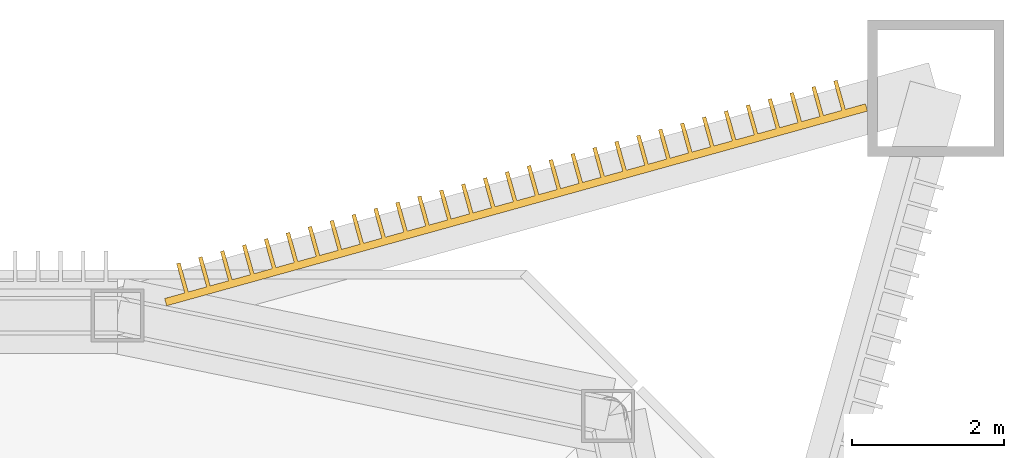
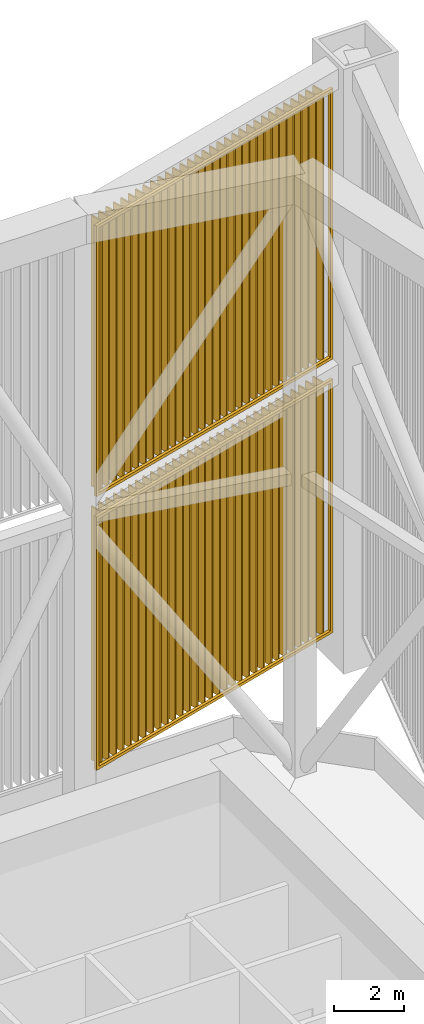
# One storey, part 13 of 13: 2 shading devices.
"""IFC4 building model written with IfcOpenShell, lengths in metres."""

from ifc_helpers import new_model, si_unit, direction, frame, origin, origin_2d, place, context, subcontext, project, spatial, rectangle, extrude, material, layer, layer_set, type_object, element, save


model = new_model("IFC4")

# Units and contexts
model_context = context("Model", 3, precision=1e-05, world=origin(), true_north=direction((0.0, 1.0)))
body_context = subcontext(model_context, "Body", "Model", "MODEL_VIEW")
ifc_project = project(units=[si_unit("LENGTHUNIT", "METRE"), si_unit("AREAUNIT", "SQUARE_METRE"), si_unit("VOLUMEUNIT", "CUBIC_METRE"), si_unit("PLANEANGLEUNIT", "RADIAN"), si_unit("MASSUNIT", "GRAM", prefix="KILO")], contexts=[model_context])

# Site, building, storey
site_placement = place(None, origin())
site = spatial("IfcSite", under=ifc_project, at=site_placement, CompositionType="ELEMENT")
building_placement = place(site_placement, origin())
building = spatial("IfcBuilding", under=site, at=building_placement, Name="Iwan Alto Co-Living Towers", CompositionType="ELEMENT")
storey_placement = place(building_placement, frame((0.0, 0.0, 267.5)))
storey = spatial("IfcBuildingStorey", under=building, at=storey_placement, Name="RF", CompositionType="ELEMENT", Elevation=267.5)

# Shading devices
ifc_material_1 = material(Name="Aluminium 6063-T6 bronze anodised", Category="aluminium")
ifc_layer_1 = layer(ifc_material_1, 0.39990234375, Name="Fins", Category="Finish")
ifc_material_2 = material(Name="Steel ASTM A36 galvanised frame", Category="steel")
ifc_layer_2 = layer(ifc_material_2, 0.10009765625, Name="Panel frame", Category="Framing")
ifc_layer_set = layer_set([ifc_layer_1, ifc_layer_2], Name="CROWN FIN SCREEN CORNER PANEL")
shading_device_type = type_object("IfcShadingDeviceType", Name="CROWN FIN SCREEN CORNER PANEL", PredefinedType="USERDEFINED", material=ifc_layer_set)
shading_device_1_placement = place(storey_placement, frame((0.0, 0.0, -267.5)))
element("IfcShadingDevice", 1, at=shading_device_1_placement, inside=storey, type_object=shading_device_type, Name="T1 crown fin screen NE-N lower", ObjectType="LOUVER", PredefinedType="USERDEFINED", context=body_context, shape_type="SweptSolid", body=[
    extrude(rectangle(XDim=9.59912109375, YDim=0.10009765625, at=origin_2d()), frame((13.3603515625, 17.361083984375, 268.599853515625), z_axis=(0.0, 0.0, 1.0), x_axis=(0.963517909615, 0.267643863841, 0.0)), (0.0, 0.0, 1.0), 0.10009765625),
    extrude(rectangle(XDim=9.59912109375, YDim=0.10009765625, at=origin_2d()), frame((13.3603515625, 17.361083984375, 277.300048828125), z_axis=(0.0, 0.0, 1.0), x_axis=(0.963517909615, 0.267643863841, 0.0)), (0.0, 0.0, 1.0), 0.10009765625),
    extrude(rectangle(XDim=0.10009765625, YDim=0.10009765625, at=origin_2d()), frame((8.7841796875, 16.090087890625, 268.69482421875), z_axis=(0.0, 0.0, 1.0), x_axis=(0.963517909615, 0.267643863841, 0.0)), (0.0, 0.0, 1.0), 8.610107421875),
    extrude(rectangle(XDim=0.10009765625, YDim=0.10009765625, at=origin_2d()), frame((17.9365234375, 18.63232421875, 268.69482421875), z_axis=(0.0, 0.0, 1.0), x_axis=(0.963517909615, 0.267643863841, 0.0)), (0.0, 0.0, 1.0), 8.610107421875),
    extrude(rectangle(XDim=0.050048828125, YDim=0.405029296875, at=origin_2d()), frame((8.958251953125, 16.395263671875, 268.60009765625), z_axis=(0.0, 0.0, 1.0), x_axis=(0.963517909615, 0.267643863841, 0.0)), (0.0, 0.0, 1.0), 8.800048828125),
    extrude(rectangle(XDim=0.050048828125, YDim=0.405029296875, at=origin_2d()), frame((9.247314453125, 16.4755859375, 268.60009765625), z_axis=(0.0, 0.0, 1.0), x_axis=(0.963517909615, 0.267643863841, 0.0)), (0.0, 0.0, 1.0), 8.800048828125),
    extrude(rectangle(XDim=0.050048828125, YDim=0.405029296875, at=origin_2d()), frame((9.536376953125, 16.555908203125, 268.60009765625), z_axis=(0.0, 0.0, 1.0), x_axis=(0.963517909615, 0.267643863841, 0.0)), (0.0, 0.0, 1.0), 8.800048828125),
    extrude(rectangle(XDim=0.050048828125, YDim=0.405029296875, at=origin_2d()), frame((9.825439453125, 16.63623046875, 268.60009765625), z_axis=(0.0, 0.0, 1.0), x_axis=(0.963517909615, 0.267643863841, 0.0)), (0.0, 0.0, 1.0), 8.800048828125),
    extrude(rectangle(XDim=0.050048828125, YDim=0.405029296875, at=origin_2d()), frame((10.114501953125, 16.71630859375, 268.60009765625), z_axis=(0.0, 0.0, 1.0), x_axis=(0.963517909615, 0.267643863841, 0.0)), (0.0, 0.0, 1.0), 8.800048828125),
    extrude(rectangle(XDim=0.050048828125, YDim=0.405029296875, at=origin_2d()), frame((10.403564453125, 16.796630859375, 268.60009765625), z_axis=(0.0, 0.0, 1.0), x_axis=(0.963517909615, 0.267643863841, 0.0)), (0.0, 0.0, 1.0), 8.800048828125),
    extrude(rectangle(XDim=0.050048828125, YDim=0.405029296875, at=origin_2d()), frame((10.692626953125, 16.876953125, 268.60009765625), z_axis=(0.0, 0.0, 1.0), x_axis=(0.963517909615, 0.267643863841, 0.0)), (0.0, 0.0, 1.0), 8.800048828125),
    extrude(rectangle(XDim=0.050048828125, YDim=0.405029296875, at=origin_2d()), frame((10.981689453125, 16.957275390625, 268.60009765625), z_axis=(0.0, 0.0, 1.0), x_axis=(0.963517909615, 0.267643863841, 0.0)), (0.0, 0.0, 1.0), 8.800048828125),
    extrude(rectangle(XDim=0.050048828125, YDim=0.405029296875, at=origin_2d()), frame((11.270751953125, 17.03759765625, 268.60009765625), z_axis=(0.0, 0.0, 1.0), x_axis=(0.963517909615, 0.267643863841, 0.0)), (0.0, 0.0, 1.0), 8.800048828125),
    extrude(rectangle(XDim=0.050048828125, YDim=0.405029296875, at=origin_2d()), frame((11.559814453125, 17.117919921875, 268.60009765625), z_axis=(0.0, 0.0, 1.0), x_axis=(0.963517909615, 0.267643863841, 0.0)), (0.0, 0.0, 1.0), 8.800048828125),
    extrude(rectangle(XDim=0.050048828125, YDim=0.405029296875, at=origin_2d()), frame((11.848876953125, 17.1982421875, 268.60009765625), z_axis=(0.0, 0.0, 1.0), x_axis=(0.963517909615, 0.267643863841, 0.0)), (0.0, 0.0, 1.0), 8.800048828125),
    extrude(rectangle(XDim=0.050048828125, YDim=0.405029296875, at=origin_2d()), frame((12.137939453125, 17.278564453125, 268.60009765625), z_axis=(0.0, 0.0, 1.0), x_axis=(0.963517909615, 0.267643863841, 0.0)), (0.0, 0.0, 1.0), 8.800048828125),
    extrude(rectangle(XDim=0.050048828125, YDim=0.405029296875, at=origin_2d()), frame((12.427001953125, 17.35888671875, 268.60009765625), z_axis=(0.0, 0.0, 1.0), x_axis=(0.963517909615, 0.267643863841, 0.0)), (0.0, 0.0, 1.0), 8.800048828125),
    extrude(rectangle(XDim=0.050048828125, YDim=0.405029296875, at=origin_2d()), frame((12.716064453125, 17.439208984375, 268.60009765625), z_axis=(0.0, 0.0, 1.0), x_axis=(0.963517909615, 0.267643863841, 0.0)), (0.0, 0.0, 1.0), 8.800048828125),
    extrude(rectangle(XDim=0.050048828125, YDim=0.405029296875, at=origin_2d()), frame((13.0048828125, 17.519287109375, 268.60009765625), z_axis=(0.0, 0.0, 1.0), x_axis=(0.963517909615, 0.267643863841, 0.0)), (0.0, 0.0, 1.0), 8.800048828125),
    extrude(rectangle(XDim=0.050048828125, YDim=0.405029296875, at=origin_2d()), frame((13.294189453125, 17.599609375, 268.60009765625), z_axis=(0.0, 0.0, 1.0), x_axis=(0.963517909615, 0.267643863841, 0.0)), (0.0, 0.0, 1.0), 8.800048828125),
    extrude(rectangle(XDim=0.050048828125, YDim=0.405029296875, at=origin_2d()), frame((13.5830078125, 17.679931640625, 268.60009765625), z_axis=(0.0, 0.0, 1.0), x_axis=(0.963517909615, 0.267643863841, 0.0)), (0.0, 0.0, 1.0), 8.800048828125),
    extrude(rectangle(XDim=0.050048828125, YDim=0.405029296875, at=origin_2d()), frame((13.872314453125, 17.76025390625, 268.60009765625), z_axis=(0.0, 0.0, 1.0), x_axis=(0.963517909615, 0.267643863841, 0.0)), (0.0, 0.0, 1.0), 8.800048828125),
    extrude(rectangle(XDim=0.050048828125, YDim=0.405029296875, at=origin_2d()), frame((14.161376953125, 17.840576171875, 268.60009765625), z_axis=(0.0, 0.0, 1.0), x_axis=(0.963517909615, 0.267643863841, 0.0)), (0.0, 0.0, 1.0), 8.800048828125),
    extrude(rectangle(XDim=0.050048828125, YDim=0.405029296875, at=origin_2d()), frame((14.4501953125, 17.9208984375, 268.60009765625), z_axis=(0.0, 0.0, 1.0), x_axis=(0.963517909615, 0.267643863841, 0.0)), (0.0, 0.0, 1.0), 8.800048828125),
    extrude(rectangle(XDim=0.050048828125, YDim=0.405029296875, at=origin_2d()), frame((14.739501953125, 18.001220703125, 268.60009765625), z_axis=(0.0, 0.0, 1.0), x_axis=(0.963517909615, 0.267643863841, 0.0)), (0.0, 0.0, 1.0), 8.800048828125),
    extrude(rectangle(XDim=0.050048828125, YDim=0.405029296875, at=origin_2d()), frame((15.0283203125, 18.081298828125, 268.60009765625), z_axis=(0.0, 0.0, 1.0), x_axis=(0.963517909615, 0.267643863841, 0.0)), (0.0, 0.0, 1.0), 8.800048828125),
    extrude(rectangle(XDim=0.050048828125, YDim=0.405029296875, at=origin_2d()), frame((15.3173828125, 18.16162109375, 268.60009765625), z_axis=(0.0, 0.0, 1.0), x_axis=(0.963517909615, 0.267643863841, 0.0)), (0.0, 0.0, 1.0), 8.800048828125),
    extrude(rectangle(XDim=0.050048828125, YDim=0.405029296875, at=origin_2d()), frame((15.6064453125, 18.241943359375, 268.60009765625), z_axis=(0.0, 0.0, 1.0), x_axis=(0.963517909615, 0.267643863841, 0.0)), (0.0, 0.0, 1.0), 8.800048828125),
    extrude(rectangle(XDim=0.050048828125, YDim=0.405029296875, at=origin_2d()), frame((15.8955078125, 18.322265625, 268.60009765625), z_axis=(0.0, 0.0, 1.0), x_axis=(0.963517909615, 0.267643863841, 0.0)), (0.0, 0.0, 1.0), 8.800048828125),
    extrude(rectangle(XDim=0.050048828125, YDim=0.405029296875, at=origin_2d()), frame((16.1845703125, 18.402587890625, 268.60009765625), z_axis=(0.0, 0.0, 1.0), x_axis=(0.963517909615, 0.267643863841, 0.0)), (0.0, 0.0, 1.0), 8.800048828125),
    extrude(rectangle(XDim=0.050048828125, YDim=0.405029296875, at=origin_2d()), frame((16.4736328125, 18.48291015625, 268.60009765625), z_axis=(0.0, 0.0, 1.0), x_axis=(0.963517909615, 0.267643863841, 0.0)), (0.0, 0.0, 1.0), 8.800048828125),
    extrude(rectangle(XDim=0.050048828125, YDim=0.405029296875, at=origin_2d()), frame((16.7626953125, 18.563232421875, 268.60009765625), z_axis=(0.0, 0.0, 1.0), x_axis=(0.963517909615, 0.267643863841, 0.0)), (0.0, 0.0, 1.0), 8.800048828125),
    extrude(rectangle(XDim=0.050048828125, YDim=0.405029296875, at=origin_2d()), frame((17.0517578125, 18.6435546875, 268.60009765625), z_axis=(0.0, 0.0, 1.0), x_axis=(0.963517909615, 0.267643863841, 0.0)), (0.0, 0.0, 1.0), 8.800048828125),
    extrude(rectangle(XDim=0.050048828125, YDim=0.405029296875, at=origin_2d()), frame((17.3408203125, 18.723876953125, 268.60009765625), z_axis=(0.0, 0.0, 1.0), x_axis=(0.963517909615, 0.267643863841, 0.0)), (0.0, 0.0, 1.0), 8.800048828125),
    extrude(rectangle(XDim=0.050048828125, YDim=0.405029296875, at=origin_2d()), frame((17.6298828125, 18.80419921875, 268.60009765625), z_axis=(0.0, 0.0, 1.0), x_axis=(0.963517909615, 0.267643863841, 0.0)), (0.0, 0.0, 1.0), 8.800048828125),
])
shading_device_2_placement = place(storey_placement, frame((0.0, 0.0, -267.5)))
element("IfcShadingDevice", 2, at=shading_device_2_placement, inside=storey, type_object=shading_device_type, Name="T1 crown fin screen NE-N upper", ObjectType="LOUVER", PredefinedType="USERDEFINED", context=body_context, shape_type="SweptSolid", body=[
    extrude(rectangle(XDim=9.59912109375, YDim=0.10009765625, at=origin_2d()), frame((13.3603515625, 17.361083984375, 278.099853515625), z_axis=(0.0, 0.0, 1.0), x_axis=(0.963517909615, 0.267643863841, 0.0)), (0.0, 0.0, 1.0), 0.10009765625),
    extrude(rectangle(XDim=9.59912109375, YDim=0.10009765625, at=origin_2d()), frame((13.3603515625, 17.361083984375, 287.39990234375), z_axis=(0.0, 0.0, 1.0), x_axis=(0.963517909615, 0.267643863841, 0.0)), (0.0, 0.0, 1.0), 0.10009765625),
    extrude(rectangle(XDim=0.10009765625, YDim=0.10009765625, at=origin_2d()), frame((8.7841796875, 16.090087890625, 278.195068359375), z_axis=(0.0, 0.0, 1.0), x_axis=(0.963517909615, 0.267643863841, 0.0)), (0.0, 0.0, 1.0), 9.2099609375),
    extrude(rectangle(XDim=0.10009765625, YDim=0.10009765625, at=origin_2d()), frame((17.9365234375, 18.63232421875, 278.195068359375), z_axis=(0.0, 0.0, 1.0), x_axis=(0.963517909615, 0.267643863841, 0.0)), (0.0, 0.0, 1.0), 9.2099609375),
    extrude(rectangle(XDim=0.050048828125, YDim=0.405029296875, at=origin_2d()), frame((8.958251953125, 16.395263671875, 278.10009765625), z_axis=(0.0, 0.0, 1.0), x_axis=(0.963517909615, 0.267643863841, 0.0)), (0.0, 0.0, 1.0), 9.39990234375),
    extrude(rectangle(XDim=0.050048828125, YDim=0.405029296875, at=origin_2d()), frame((9.247314453125, 16.4755859375, 278.10009765625), z_axis=(0.0, 0.0, 1.0), x_axis=(0.963517909615, 0.267643863841, 0.0)), (0.0, 0.0, 1.0), 9.39990234375),
    extrude(rectangle(XDim=0.050048828125, YDim=0.405029296875, at=origin_2d()), frame((9.536376953125, 16.555908203125, 278.10009765625), z_axis=(0.0, 0.0, 1.0), x_axis=(0.963517909615, 0.267643863841, 0.0)), (0.0, 0.0, 1.0), 9.39990234375),
    extrude(rectangle(XDim=0.050048828125, YDim=0.405029296875, at=origin_2d()), frame((9.825439453125, 16.63623046875, 278.10009765625), z_axis=(0.0, 0.0, 1.0), x_axis=(0.963517909615, 0.267643863841, 0.0)), (0.0, 0.0, 1.0), 9.39990234375),
    extrude(rectangle(XDim=0.050048828125, YDim=0.405029296875, at=origin_2d()), frame((10.114501953125, 16.71630859375, 278.10009765625), z_axis=(0.0, 0.0, 1.0), x_axis=(0.963517909615, 0.267643863841, 0.0)), (0.0, 0.0, 1.0), 9.39990234375),
    extrude(rectangle(XDim=0.050048828125, YDim=0.405029296875, at=origin_2d()), frame((10.403564453125, 16.796630859375, 278.10009765625), z_axis=(0.0, 0.0, 1.0), x_axis=(0.963517909615, 0.267643863841, 0.0)), (0.0, 0.0, 1.0), 9.39990234375),
    extrude(rectangle(XDim=0.050048828125, YDim=0.405029296875, at=origin_2d()), frame((10.692626953125, 16.876953125, 278.10009765625), z_axis=(0.0, 0.0, 1.0), x_axis=(0.963517909615, 0.267643863841, 0.0)), (0.0, 0.0, 1.0), 9.39990234375),
    extrude(rectangle(XDim=0.050048828125, YDim=0.405029296875, at=origin_2d()), frame((10.981689453125, 16.957275390625, 278.10009765625), z_axis=(0.0, 0.0, 1.0), x_axis=(0.963517909615, 0.267643863841, 0.0)), (0.0, 0.0, 1.0), 9.39990234375),
    extrude(rectangle(XDim=0.050048828125, YDim=0.405029296875, at=origin_2d()), frame((11.270751953125, 17.03759765625, 278.10009765625), z_axis=(0.0, 0.0, 1.0), x_axis=(0.963517909615, 0.267643863841, 0.0)), (0.0, 0.0, 1.0), 9.39990234375),
    extrude(rectangle(XDim=0.050048828125, YDim=0.405029296875, at=origin_2d()), frame((11.559814453125, 17.117919921875, 278.10009765625), z_axis=(0.0, 0.0, 1.0), x_axis=(0.963517909615, 0.267643863841, 0.0)), (0.0, 0.0, 1.0), 9.39990234375),
    extrude(rectangle(XDim=0.050048828125, YDim=0.405029296875, at=origin_2d()), frame((11.848876953125, 17.1982421875, 278.10009765625), z_axis=(0.0, 0.0, 1.0), x_axis=(0.963517909615, 0.267643863841, 0.0)), (0.0, 0.0, 1.0), 9.39990234375),
    extrude(rectangle(XDim=0.050048828125, YDim=0.405029296875, at=origin_2d()), frame((12.137939453125, 17.278564453125, 278.10009765625), z_axis=(0.0, 0.0, 1.0), x_axis=(0.963517909615, 0.267643863841, 0.0)), (0.0, 0.0, 1.0), 9.39990234375),
    extrude(rectangle(XDim=0.050048828125, YDim=0.405029296875, at=origin_2d()), frame((12.427001953125, 17.35888671875, 278.10009765625), z_axis=(0.0, 0.0, 1.0), x_axis=(0.963517909615, 0.267643863841, 0.0)), (0.0, 0.0, 1.0), 9.39990234375),
    extrude(rectangle(XDim=0.050048828125, YDim=0.405029296875, at=origin_2d()), frame((12.716064453125, 17.439208984375, 278.10009765625), z_axis=(0.0, 0.0, 1.0), x_axis=(0.963517909615, 0.267643863841, 0.0)), (0.0, 0.0, 1.0), 9.39990234375),
    extrude(rectangle(XDim=0.050048828125, YDim=0.405029296875, at=origin_2d()), frame((13.0048828125, 17.519287109375, 278.10009765625), z_axis=(0.0, 0.0, 1.0), x_axis=(0.963517909615, 0.267643863841, 0.0)), (0.0, 0.0, 1.0), 9.39990234375),
    extrude(rectangle(XDim=0.050048828125, YDim=0.405029296875, at=origin_2d()), frame((13.294189453125, 17.599609375, 278.10009765625), z_axis=(0.0, 0.0, 1.0), x_axis=(0.963517909615, 0.267643863841, 0.0)), (0.0, 0.0, 1.0), 9.39990234375),
    extrude(rectangle(XDim=0.050048828125, YDim=0.405029296875, at=origin_2d()), frame((13.5830078125, 17.679931640625, 278.10009765625), z_axis=(0.0, 0.0, 1.0), x_axis=(0.963517909615, 0.267643863841, 0.0)), (0.0, 0.0, 1.0), 9.39990234375),
    extrude(rectangle(XDim=0.050048828125, YDim=0.405029296875, at=origin_2d()), frame((13.872314453125, 17.76025390625, 278.10009765625), z_axis=(0.0, 0.0, 1.0), x_axis=(0.963517909615, 0.267643863841, 0.0)), (0.0, 0.0, 1.0), 9.39990234375),
    extrude(rectangle(XDim=0.050048828125, YDim=0.405029296875, at=origin_2d()), frame((14.161376953125, 17.840576171875, 278.10009765625), z_axis=(0.0, 0.0, 1.0), x_axis=(0.963517909615, 0.267643863841, 0.0)), (0.0, 0.0, 1.0), 9.39990234375),
    extrude(rectangle(XDim=0.050048828125, YDim=0.405029296875, at=origin_2d()), frame((14.4501953125, 17.9208984375, 278.10009765625), z_axis=(0.0, 0.0, 1.0), x_axis=(0.963517909615, 0.267643863841, 0.0)), (0.0, 0.0, 1.0), 9.39990234375),
    extrude(rectangle(XDim=0.050048828125, YDim=0.405029296875, at=origin_2d()), frame((14.739501953125, 18.001220703125, 278.10009765625), z_axis=(0.0, 0.0, 1.0), x_axis=(0.963517909615, 0.267643863841, 0.0)), (0.0, 0.0, 1.0), 9.39990234375),
    extrude(rectangle(XDim=0.050048828125, YDim=0.405029296875, at=origin_2d()), frame((15.0283203125, 18.081298828125, 278.10009765625), z_axis=(0.0, 0.0, 1.0), x_axis=(0.963517909615, 0.267643863841, 0.0)), (0.0, 0.0, 1.0), 9.39990234375),
    extrude(rectangle(XDim=0.050048828125, YDim=0.405029296875, at=origin_2d()), frame((15.3173828125, 18.16162109375, 278.10009765625), z_axis=(0.0, 0.0, 1.0), x_axis=(0.963517909615, 0.267643863841, 0.0)), (0.0, 0.0, 1.0), 9.39990234375),
    extrude(rectangle(XDim=0.050048828125, YDim=0.405029296875, at=origin_2d()), frame((15.6064453125, 18.241943359375, 278.10009765625), z_axis=(0.0, 0.0, 1.0), x_axis=(0.963517909615, 0.267643863841, 0.0)), (0.0, 0.0, 1.0), 9.39990234375),
    extrude(rectangle(XDim=0.050048828125, YDim=0.405029296875, at=origin_2d()), frame((15.8955078125, 18.322265625, 278.10009765625), z_axis=(0.0, 0.0, 1.0), x_axis=(0.963517909615, 0.267643863841, 0.0)), (0.0, 0.0, 1.0), 9.39990234375),
    extrude(rectangle(XDim=0.050048828125, YDim=0.405029296875, at=origin_2d()), frame((16.1845703125, 18.402587890625, 278.10009765625), z_axis=(0.0, 0.0, 1.0), x_axis=(0.963517909615, 0.267643863841, 0.0)), (0.0, 0.0, 1.0), 9.39990234375),
    extrude(rectangle(XDim=0.050048828125, YDim=0.405029296875, at=origin_2d()), frame((16.4736328125, 18.48291015625, 278.10009765625), z_axis=(0.0, 0.0, 1.0), x_axis=(0.963517909615, 0.267643863841, 0.0)), (0.0, 0.0, 1.0), 9.39990234375),
    extrude(rectangle(XDim=0.050048828125, YDim=0.405029296875, at=origin_2d()), frame((16.7626953125, 18.563232421875, 278.10009765625), z_axis=(0.0, 0.0, 1.0), x_axis=(0.963517909615, 0.267643863841, 0.0)), (0.0, 0.0, 1.0), 9.39990234375),
    extrude(rectangle(XDim=0.050048828125, YDim=0.405029296875, at=origin_2d()), frame((17.0517578125, 18.6435546875, 278.10009765625), z_axis=(0.0, 0.0, 1.0), x_axis=(0.963517909615, 0.267643863841, 0.0)), (0.0, 0.0, 1.0), 9.39990234375),
    extrude(rectangle(XDim=0.050048828125, YDim=0.405029296875, at=origin_2d()), frame((17.3408203125, 18.723876953125, 278.10009765625), z_axis=(0.0, 0.0, 1.0), x_axis=(0.963517909615, 0.267643863841, 0.0)), (0.0, 0.0, 1.0), 9.39990234375),
    extrude(rectangle(XDim=0.050048828125, YDim=0.405029296875, at=origin_2d()), frame((17.6298828125, 18.80419921875, 278.10009765625), z_axis=(0.0, 0.0, 1.0), x_axis=(0.963517909615, 0.267643863841, 0.0)), (0.0, 0.0, 1.0), 9.39990234375),
])

save(model, "model.ifc")
